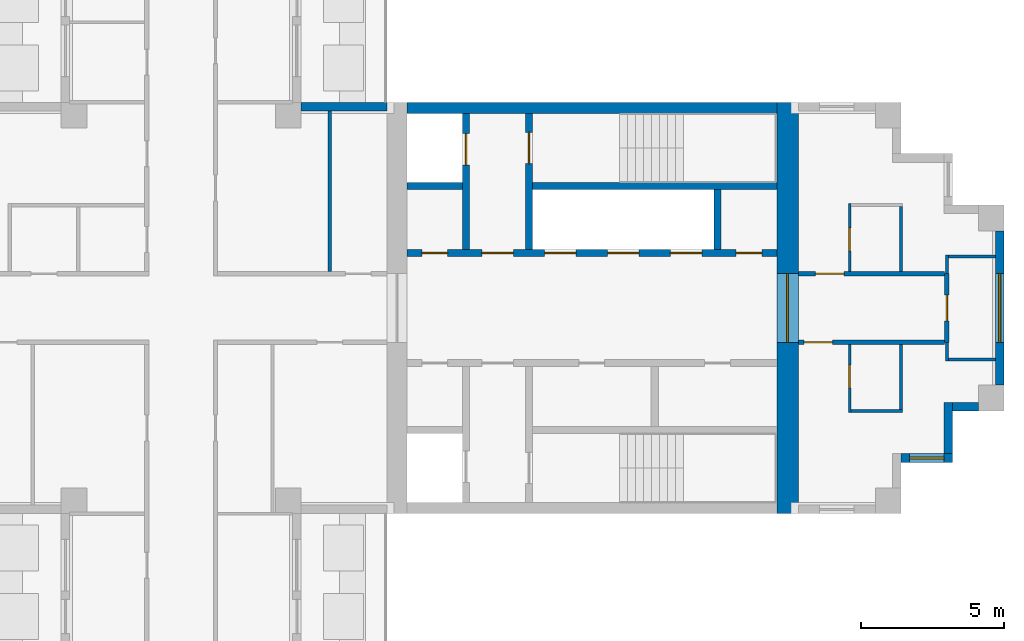
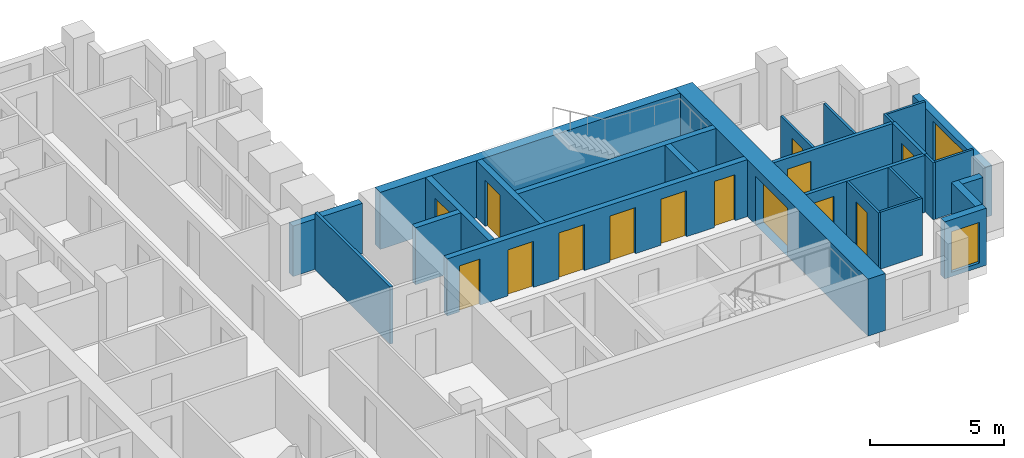
# One storey, part 6 of 10: 26 walls, 14 doors, 2 windows, 16 openings.
"""IFC4 building model written with IfcOpenShell, lengths in metres."""

from ifc_helpers import new_model, si_unit, direction, frame, frame_2d, origin, place, context, subcontext, project, spatial, rectangle, extrude, material, layer, layer_set, type_object, element, fill, save


model = new_model("IFC4")

# Units and contexts
model_context = context("Model", 3, precision=1e-05, world=origin(), true_north=direction((0.0, 1.0)))
body_context = subcontext(model_context, "Body", "Model", "MODEL_VIEW")
ifc_project = project(units=[si_unit("LENGTHUNIT", "METRE"), si_unit("AREAUNIT", "SQUARE_METRE"), si_unit("VOLUMEUNIT", "CUBIC_METRE"), si_unit("PLANEANGLEUNIT", "RADIAN"), si_unit("MASSUNIT", "GRAM", prefix="KILO")], contexts=[model_context])

# Site, building, storey
site_placement = place(None, origin())
site = spatial("IfcSite", under=ifc_project, at=site_placement, CompositionType="ELEMENT")
building_placement = place(site_placement, origin())
building = spatial("IfcBuilding", under=site, at=building_placement, Name="Fustian Cross Tower", CompositionType="ELEMENT")
storey_placement = place(building_placement, frame((0.0, 0.0, 228.89990234375)))
storey = spatial("IfcBuildingStorey", under=building, at=storey_placement, Name="L72", CompositionType="ELEMENT", Elevation=228.89990234375)

# Wall, opening, door
ifc_material_1 = material(Name="Plasterboard on steel stud", Category="steel")
ifc_layer_1 = layer(ifc_material_1, 0.14990234375)
ifc_layer_set_1 = layer_set([ifc_layer_1], Name="Plasterboard on steel stud")
wall_type_1 = type_object("IfcWallType", Name="COMPARTMENT WALL 150 EI 60", PredefinedType="PARTITIONING", material=ifc_layer_set_1)
wall_1_placement = place(storey_placement, frame((21.60009765625, -1.199951171875, 0.0), z_axis=(0.0, 0.0, 1.0), x_axis=(1.0, 0.0, 0.0)))
wall_1 = element("IfcWall", 1, at=wall_1_placement, inside=storey, type_object=wall_type_1, Name="Partition 60", PredefinedType="PARTITIONING", context=body_context, shape_type="SweptSolid", body=[
    extrude(rectangle(XDim=5.125, YDim=0.14990234375, at=frame_2d((2.5625, 0.0))), origin(), (0.0, 0.0, 1.0), 2.60009765625),
])
opening_1_placement = place(wall_1_placement, frame((0.199951171875, 0.0, 0.0)))
opening_1 = element("IfcOpeningElement", 2, at=opening_1_placement, cuts=wall_1, Name="Opening D32014", PredefinedType="OPENING", context=body_context, shape_type="SweptSolid", body=[
    extrude(rectangle(XDim=1.0, YDim=2.10009765625, at=frame_2d((0.5, 1.050048828125))), frame((0.0, 0.0849609375, 0.0), z_axis=(0.0, -1.0, 0.0), x_axis=(1.0, 0.0, 0.0)), (0.0, 0.0, 1.0), 0.169921875),
])
ifc_material_2 = material(Name="Timber fire door set", Category="wood")
door_type_1 = type_object("IfcDoorType", Name="FIRE SWING DOOR 1000 FD30S", OperationType="SINGLE_SWING_LEFT", PredefinedType="DOOR", material=ifc_material_2)
door_1_placement = place(opening_1_placement, frame((1.0, 0.0, 0.0), z_axis=(0.0, 0.0, 1.0), x_axis=(-1.0, 0.0, 0.0)))
door_1 = element("IfcDoor", 3, at=door_1_placement, inside=storey, type_object=door_type_1, Name="Door D32014", OperationType="SINGLE_SWING_RIGHT", OverallHeight=2.10009765625, OverallWidth=1.0, PredefinedType="DOOR", context=body_context, shape_type="SweptSolid", body=[
    extrude(rectangle(XDim=1.0, YDim=2.10009765625, at=frame_2d((0.5, 1.050048828125))), frame((0.0, 0.02490234375, 0.0), z_axis=(0.0, -1.0, 0.0), x_axis=(1.0, 0.0, 0.0)), (0.0, 0.0, 1.0), 0.050048828125),
])
fill(opening_1, door_1)

wall_2_placement = place(storey_placement, frame((21.60009765625, 1.199951171875, 0.0), z_axis=(0.0, 0.0, 1.0), x_axis=(1.0, 0.0, 0.0)))
wall_2 = element("IfcWall", 4, at=wall_2_placement, inside=storey, type_object=wall_type_1, Name="Partition 61", PredefinedType="PARTITIONING", context=body_context, shape_type="SweptSolid", body=[
    extrude(rectangle(XDim=5.125, YDim=0.14990234375, at=frame_2d((2.5625, 0.0))), origin(), (0.0, 0.0, 1.0), 2.60009765625),
])
opening_2_placement = place(wall_2_placement, frame((0.60009765625, 0.0, 0.0)))
opening_2 = element("IfcOpeningElement", 5, at=opening_2_placement, cuts=wall_2, Name="Opening D32012", PredefinedType="OPENING", context=body_context, shape_type="SweptSolid", body=[
    extrude(rectangle(XDim=1.0, YDim=2.10009765625, at=frame_2d((0.5, 1.050048828125))), frame((0.0, 0.0849609375, 0.0), z_axis=(0.0, -1.0, 0.0), x_axis=(1.0, 0.0, 0.0)), (0.0, 0.0, 1.0), 0.169921875),
])
door_2_placement = place(opening_2_placement, origin())
door_2 = element("IfcDoor", 6, at=door_2_placement, inside=storey, type_object=door_type_1, Name="Door D32012", OperationType="SINGLE_SWING_RIGHT", OverallHeight=2.10009765625, OverallWidth=1.0, PredefinedType="DOOR", context=body_context, shape_type="SweptSolid", body=[
    extrude(rectangle(XDim=1.0, YDim=2.10009765625, at=frame_2d((0.5, 1.050048828125))), frame((0.0, 0.02490234375, 0.0), z_axis=(0.0, -1.0, 0.0), x_axis=(1.0, 0.0, 0.0)), (0.0, 0.0, 1.0), 0.050048828125),
])
fill(opening_2, door_2)

wall_3_placement = place(storey_placement, frame((26.800048828125, -1.199951171875, 0.0), z_axis=(0.0, 0.0, 1.0), x_axis=(0.0, 1.0, 0.0)))
wall_3 = element("IfcWall", 7, at=wall_3_placement, inside=storey, type_object=wall_type_1, Name="Partition 70", PredefinedType="PARTITIONING", context=body_context, shape_type="SweptSolid", body=[
    extrude(rectangle(XDim=2.39990234375, YDim=0.14990234375, at=frame_2d((1.199951171875, 0.0))), origin(), (0.0, 0.0, 1.0), 2.60009765625),
])
opening_3_placement = place(wall_3_placement, frame((0.75, 0.0, 0.0)))
opening_3 = element("IfcOpeningElement", 8, at=opening_3_placement, cuts=wall_3, Name="Opening D32010", PredefinedType="OPENING", context=body_context, shape_type="SweptSolid", body=[
    extrude(rectangle(XDim=0.89990234375, YDim=2.10009765625, at=frame_2d((0.449951171875, 1.050048828125))), frame((0.0, 0.0849609375, 0.0), z_axis=(0.0, -1.0, 0.0), x_axis=(1.0, 0.0, 0.0)), (0.0, 0.0, 1.0), 0.169921875),
])
ifc_material_3 = material(Name="Timber fire door set", Category="wood")
door_type_2 = type_object("IfcDoorType", Name="FIRE SWING DOOR 900 FD30S", OperationType="SINGLE_SWING_LEFT", PredefinedType="DOOR", material=ifc_material_3)
door_3_placement = place(opening_3_placement, frame((0.89990234375, 0.0, 0.0), z_axis=(0.0, 0.0, 1.0), x_axis=(-1.0, 0.0, 0.0)))
door_3 = element("IfcDoor", 9, at=door_3_placement, inside=storey, type_object=door_type_2, Name="Door D32010", OperationType="SINGLE_SWING_RIGHT", OverallHeight=2.10009765625, OverallWidth=0.89990234375, PredefinedType="DOOR", context=body_context, shape_type="SweptSolid", body=[
    extrude(rectangle(XDim=0.89990234375, YDim=2.10009765625, at=frame_2d((0.449951171875, 1.050048828125))), frame((0.0, 0.02490234375, 0.0), z_axis=(0.0, -1.0, 0.0), x_axis=(1.0, 0.0, 0.0)), (0.0, 0.0, 1.0), 0.050048828125),
])
fill(opening_3, door_3)

ifc_material_4 = material(Name="Concrete C50/60", Category="concrete")
ifc_layer_2 = layer(ifc_material_4, 0.75)
ifc_layer_set_2 = layer_set([ifc_layer_2], Name="Concrete C50/60")
wall_type_2 = type_object("IfcWallType", Name="CORE END WALL 750 C50/60", PredefinedType="SHEAR", material=ifc_layer_set_2)
wall_4_placement = place(storey_placement, frame((21.22509765625, -7.199951171875, 0.0), z_axis=(0.0, 0.0, 1.0), x_axis=(0.0, 1.0, 0.0)))
wall_4 = element("IfcWall", 10, at=wall_4_placement, inside=storey, type_object=wall_type_2, Name="Core end wall", PredefinedType="SHEAR", context=body_context, shape_type="SweptSolid", body=[
    extrude(rectangle(XDim=14.39990234375, YDim=0.75, at=frame_2d((7.199951171875, 0.0))), origin(), (0.0, 0.0, 1.0), 2.60009765625),
])
opening_4_placement = place(wall_4_placement, frame((6.0, 0.0, 0.0)))
opening_4 = element("IfcOpeningElement", 11, at=opening_4_placement, cuts=wall_4, Name="Opening CD-27-13", PredefinedType="OPENING", context=body_context, shape_type="SweptSolid", body=[
    extrude(rectangle(XDim=2.39990234375, YDim=2.199951171875, at=frame_2d((1.199951171875, 1.10009765625))), frame((0.0, 0.385009765625, 0.0), z_axis=(0.0, -1.0, 0.0), x_axis=(1.0, 0.0, 0.0)), (0.0, 0.0, 1.0), 0.77001953125),
])
ifc_material_5 = material(Name="Steel", Category="steel")
door_type_3 = type_object("IfcDoorType", Name="FIRE DOOR FD30S DOUBLE 2400X2200", OperationType="DOUBLE_DOOR_DOUBLE_SWING", PredefinedType="DOOR", material=ifc_material_5)
door_4_placement = place(opening_4_placement, origin())
door_4 = element("IfcDoor", 12, at=door_4_placement, inside=storey, type_object=door_type_3, Name="Core door CD-27-13", OperationType="DOUBLE_DOOR_DOUBLE_SWING", OverallHeight=2.199951171875, OverallWidth=2.39990234375, PredefinedType="DOOR", context=body_context, shape_type="SweptSolid", body=[
    extrude(rectangle(XDim=2.39990234375, YDim=2.199951171875, at=frame_2d((1.199951171875, 1.10009765625))), frame((0.0, 0.02490234375, 0.0), z_axis=(0.0, -1.0, 0.0), x_axis=(1.0, 0.0, 0.0)), (0.0, 0.0, 1.0), 0.050048828125),
])
fill(opening_4, door_4)

# Wall
ifc_material_6 = material(Name="Concrete C50/60", Category="concrete")
ifc_layer_3 = layer(ifc_material_6, 0.39990234375)
ifc_layer_set_3 = layer_set([ifc_layer_3], Name="Concrete C50/60")
wall_type_3 = type_object("IfcWallType", Name="CORE FACADE WALL 400 C50/60", PredefinedType="SHEAR", material=ifc_layer_set_3)
wall_5_placement = place(storey_placement, frame((7.89990234375, 7.0, 0.0), z_axis=(0.0, 0.0, 1.0), x_axis=(1.0, 0.0, 0.0)))
element("IfcWall", 13, at=wall_5_placement, inside=storey, type_object=wall_type_3, Name="Core facade wall", PredefinedType="SHEAR", context=body_context, shape_type="SweptSolid", body=[
    extrude(rectangle(XDim=12.9501953125, YDim=0.39990234375, at=frame_2d((6.47509765625, 0.0))), origin(), (0.0, 0.0, 1.0), 2.60009765625),
])

# Wall, openings, doors
ifc_material_7 = material(Name="Concrete C50/60", Category="concrete")
ifc_layer_4 = layer(ifc_material_7, 0.25)
ifc_layer_set_4 = layer_set([ifc_layer_4], Name="Concrete C50/60")
wall_type_4 = type_object("IfcWallType", Name="CORE LOBBY WALL 250 C50/60", PredefinedType="SHEAR", material=ifc_layer_set_4)
wall_6_placement = place(storey_placement, frame((7.89990234375, 1.925048828125, 0.0), z_axis=(0.0, 0.0, 1.0), x_axis=(1.0, 0.0, 0.0)))
wall_6 = element("IfcWall", 14, at=wall_6_placement, inside=storey, type_object=wall_type_4, Name="Core lobby wall", PredefinedType="SHEAR", context=body_context, shape_type="SweptSolid", body=[
    extrude(rectangle(XDim=12.9501953125, YDim=0.25, at=frame_2d((6.47509765625, 0.0))), origin(), (0.0, 0.0, 1.0), 2.60009765625),
])
opening_5_placement = place(wall_6_placement, frame((4.824951171875, 0.0, 0.0)))
opening_5 = element("IfcOpeningElement", 15, at=opening_5_placement, cuts=wall_6, Name="Opening LD", PredefinedType="OPENING", context=body_context, shape_type="SweptSolid", body=[
    extrude(rectangle(XDim=1.10009765625, YDim=2.10009765625, at=frame_2d((0.550048828125, 1.050048828125))), frame((0.0, 0.135009765625, 0.0), z_axis=(0.0, -1.0, 0.0), x_axis=(1.0, 0.0, 0.0)), (0.0, 0.0, 1.0), 0.27001953125),
])
opening_6_placement = place(wall_6_placement, frame((7.02490234375, 0.0, 0.0)))
opening_6 = element("IfcOpeningElement", 16, at=opening_6_placement, cuts=wall_6, Name="Opening LD", PredefinedType="OPENING", context=body_context, shape_type="SweptSolid", body=[
    extrude(rectangle(XDim=1.10009765625, YDim=2.10009765625, at=frame_2d((0.550048828125, 1.050048828125))), frame((0.0, 0.135009765625, 0.0), z_axis=(0.0, -1.0, 0.0), x_axis=(1.0, 0.0, 0.0)), (0.0, 0.0, 1.0), 0.27001953125),
])
opening_7_placement = place(wall_6_placement, frame((9.22509765625, 0.0, 0.0)))
opening_7 = element("IfcOpeningElement", 17, at=opening_7_placement, cuts=wall_6, Name="Opening LD", PredefinedType="OPENING", context=body_context, shape_type="SweptSolid", body=[
    extrude(rectangle(XDim=1.10009765625, YDim=2.10009765625, at=frame_2d((0.550048828125, 1.050048828125))), frame((0.0, 0.135009765625, 0.0), z_axis=(0.0, -1.0, 0.0), x_axis=(1.0, 0.0, 0.0)), (0.0, 0.0, 1.0), 0.27001953125),
])
opening_8_placement = place(wall_6_placement, frame((0.52490234375, 0.0, 0.0)))
opening_8 = element("IfcOpeningElement", 18, at=opening_8_placement, cuts=wall_6, Name="Opening CD-27-08", PredefinedType="OPENING", context=body_context, shape_type="SweptSolid", body=[
    extrude(rectangle(XDim=0.89990234375, YDim=2.10009765625, at=frame_2d((0.449951171875, 1.050048828125))), frame((0.0, 0.135009765625, 0.0), z_axis=(0.0, -1.0, 0.0), x_axis=(1.0, 0.0, 0.0)), (0.0, 0.0, 1.0), 0.27001953125),
])
opening_9_placement = place(wall_6_placement, frame((2.625, 0.0, 0.0)))
opening_9 = element("IfcOpeningElement", 19, at=opening_9_placement, cuts=wall_6, Name="Opening CD-27-10", PredefinedType="OPENING", context=body_context, shape_type="SweptSolid", body=[
    extrude(rectangle(XDim=1.10009765625, YDim=2.10009765625, at=frame_2d((0.550048828125, 1.050048828125))), frame((0.0, 0.135009765625, 0.0), z_axis=(0.0, -1.0, 0.0), x_axis=(1.0, 0.0, 0.0)), (0.0, 0.0, 1.0), 0.27001953125),
])
opening_10_placement = place(wall_6_placement, frame((11.52490234375, 0.0, 0.0)))
opening_10 = element("IfcOpeningElement", 20, at=opening_10_placement, cuts=wall_6, Name="Opening CD-27-14", PredefinedType="OPENING", context=body_context, shape_type="SweptSolid", body=[
    extrude(rectangle(XDim=0.89990234375, YDim=2.10009765625, at=frame_2d((0.449951171875, 1.050048828125))), frame((0.0, 0.135009765625, 0.0), z_axis=(0.0, -1.0, 0.0), x_axis=(1.0, 0.0, 0.0)), (0.0, 0.0, 1.0), 0.27001953125),
])
ifc_material_8 = material(Name="Steel", Category="steel")
door_type_4 = type_object("IfcDoorType", Name="FIRE DOOR FD30S 900X2100", OperationType="SINGLE_SWING_LEFT", PredefinedType="DOOR", material=ifc_material_8)
door_5_placement = place(opening_10_placement, origin())
door_5 = element("IfcDoor", 21, at=door_5_placement, inside=storey, type_object=door_type_4, Name="Core door CD-27-14", OperationType="SINGLE_SWING_LEFT", OverallHeight=2.10009765625, OverallWidth=0.89990234375, PredefinedType="DOOR", context=body_context, shape_type="SweptSolid", body=[
    extrude(rectangle(XDim=0.89990234375, YDim=2.10009765625, at=frame_2d((0.449951171875, 1.050048828125))), frame((0.0, 0.02490234375, 0.0), z_axis=(0.0, -1.0, 0.0), x_axis=(1.0, 0.0, 0.0)), (0.0, 0.0, 1.0), 0.050048828125),
])
fill(opening_10, door_5)
ifc_material_9 = material(Name="Steel", Category="steel")
door_type_5 = type_object("IfcDoorType", Name="FIRE DOOR FD60S 1100X2100", OperationType="SINGLE_SWING_LEFT", PredefinedType="DOOR", material=ifc_material_9)
door_6_placement = place(opening_9_placement, frame((1.10009765625, 0.0, 0.0), z_axis=(0.0, 0.0, 1.0), x_axis=(-1.0, 0.0, 0.0)))
door_6 = element("IfcDoor", 22, at=door_6_placement, inside=storey, type_object=door_type_5, Name="Core door CD-27-10", OperationType="SINGLE_SWING_RIGHT", OverallHeight=2.10009765625, OverallWidth=1.10009765625, PredefinedType="DOOR", context=body_context, shape_type="SweptSolid", body=[
    extrude(rectangle(XDim=1.10009765625, YDim=2.10009765625, at=frame_2d((0.550048828125, 1.050048828125))), frame((0.0, 0.02490234375, 0.0), z_axis=(0.0, -1.0, 0.0), x_axis=(1.0, 0.0, 0.0)), (0.0, 0.0, 1.0), 0.050048828125),
])
fill(opening_9, door_6)
ifc_material_10 = material(Name="Steel", Category="steel")
door_type_6 = type_object("IfcDoorType", Name="FIRE DOOR FD60S 900X2100", OperationType="SINGLE_SWING_LEFT", PredefinedType="DOOR", material=ifc_material_10)
door_7_placement = place(opening_8_placement, origin())
door_7 = element("IfcDoor", 23, at=door_7_placement, inside=storey, type_object=door_type_6, Name="Core door CD-27-08", OperationType="SINGLE_SWING_LEFT", OverallHeight=2.10009765625, OverallWidth=0.89990234375, PredefinedType="DOOR", context=body_context, shape_type="SweptSolid", body=[
    extrude(rectangle(XDim=0.89990234375, YDim=2.10009765625, at=frame_2d((0.449951171875, 1.050048828125))), frame((0.0, 0.02490234375, 0.0), z_axis=(0.0, -1.0, 0.0), x_axis=(1.0, 0.0, 0.0)), (0.0, 0.0, 1.0), 0.050048828125),
])
fill(opening_8, door_7)
ifc_material_11 = material(Name="Stainless steel", Category="steel")
door_type_7 = type_object("IfcDoorType", Name="LIFT LANDING DOOR 1100X2100", OperationType="SLIDING_TO_LEFT", PredefinedType="DOOR", material=ifc_material_11)
door_8_placement = place(opening_5_placement, origin())
door_8 = element("IfcDoor", 24, at=door_8_placement, inside=storey, type_object=door_type_7, Name="Landing door HR1", OperationType="SLIDING_TO_LEFT", OverallHeight=2.10009765625, OverallWidth=1.10009765625, PredefinedType="DOOR", context=body_context, shape_type="SweptSolid", body=[
    extrude(rectangle(XDim=1.10009765625, YDim=2.10009765625, at=frame_2d((0.550048828125, 1.050048828125))), frame((0.0, 0.02490234375, 0.0), z_axis=(0.0, -1.0, 0.0), x_axis=(1.0, 0.0, 0.0)), (0.0, 0.0, 1.0), 0.050048828125),
])
fill(opening_5, door_8)
door_9_placement = place(opening_6_placement, origin())
door_9 = element("IfcDoor", 25, at=door_9_placement, inside=storey, type_object=door_type_7, Name="Landing door HR2", OperationType="SLIDING_TO_LEFT", OverallHeight=2.10009765625, OverallWidth=1.10009765625, PredefinedType="DOOR", context=body_context, shape_type="SweptSolid", body=[
    extrude(rectangle(XDim=1.10009765625, YDim=2.10009765625, at=frame_2d((0.550048828125, 1.050048828125))), frame((0.0, 0.02490234375, 0.0), z_axis=(0.0, -1.0, 0.0), x_axis=(1.0, 0.0, 0.0)), (0.0, 0.0, 1.0), 0.050048828125),
])
fill(opening_6, door_9)
door_10_placement = place(opening_7_placement, origin())
door_10 = element("IfcDoor", 26, at=door_10_placement, inside=storey, type_object=door_type_7, Name="Landing door HR3", OperationType="SLIDING_TO_LEFT", OverallHeight=2.10009765625, OverallWidth=1.10009765625, PredefinedType="DOOR", context=body_context, shape_type="SweptSolid", body=[
    extrude(rectangle(XDim=1.10009765625, YDim=2.10009765625, at=frame_2d((0.550048828125, 1.050048828125))), frame((0.0, 0.02490234375, 0.0), z_axis=(0.0, -1.0, 0.0), x_axis=(1.0, 0.0, 0.0)), (0.0, 0.0, 1.0), 0.050048828125),
])
fill(opening_7, door_10)

# Walls
ifc_material_12 = material(Name="Concrete C50/60", Category="concrete")
ifc_layer_5 = layer(ifc_material_12, 0.25)
ifc_layer_set_5 = layer_set([ifc_layer_5], Name="Concrete C50/60")
wall_type_5 = type_object("IfcWallType", Name="CORE SHAFT WALL 250 C50/60", PredefinedType="SHEAR", material=ifc_layer_set_5)
wall_7_placement = place(storey_placement, frame((7.89990234375, 4.27490234375, 0.0), z_axis=(0.0, 0.0, 1.0), x_axis=(1.0, 0.0, 0.0)))
element("IfcWall", 27, at=wall_7_placement, inside=storey, type_object=wall_type_5, Name="Core shaft wall", PredefinedType="SHEAR", context=body_context, shape_type="SweptSolid", body=[
    extrude(rectangle(XDim=1.9501953125, YDim=0.25, at=frame_2d((0.97509765625, 0.0))), origin(), (0.0, 0.0, 1.0), 2.60009765625),
])
wall_8_placement = place(storey_placement, frame((12.300048828125, 4.27490234375, 0.0), z_axis=(0.0, 0.0, 1.0), x_axis=(1.0, 0.0, 0.0)))
element("IfcWall", 28, at=wall_8_placement, inside=storey, type_object=wall_type_5, Name="Core shaft wall", PredefinedType="SHEAR", context=body_context, shape_type="SweptSolid", body=[
    extrude(rectangle(XDim=8.550048828125, YDim=0.25, at=frame_2d((4.27490234375, 0.0))), origin(), (0.0, 0.0, 1.0), 2.60009765625),
])

# Wall, opening, door
wall_9_placement = place(storey_placement, frame((9.97509765625, 2.050048828125, 0.0), z_axis=(0.0, 0.0, 1.0), x_axis=(0.0, 1.0, 0.0)))
wall_9 = element("IfcWall", 29, at=wall_9_placement, inside=storey, type_object=wall_type_5, Name="Core shaft wall", PredefinedType="SHEAR", context=body_context, shape_type="SweptSolid", body=[
    extrude(rectangle(XDim=4.75, YDim=0.25, at=frame_2d((2.375, 0.0))), origin(), (0.0, 0.0, 1.0), 2.60009765625),
])
opening_11_placement = place(wall_9_placement, frame((2.949951171875, 0.0, 0.0)))
opening_11 = element("IfcOpeningElement", 30, at=opening_11_placement, cuts=wall_9, Name="Opening LD", PredefinedType="OPENING", context=body_context, shape_type="SweptSolid", body=[
    extrude(rectangle(XDim=1.10009765625, YDim=2.10009765625, at=frame_2d((0.550048828125, 1.050048828125))), frame((0.0, 0.135009765625, 0.0), z_axis=(0.0, -1.0, 0.0), x_axis=(1.0, 0.0, 0.0)), (0.0, 0.0, 1.0), 0.27001953125),
])
door_11_placement = place(opening_11_placement, origin())
door_11 = element("IfcDoor", 31, at=door_11_placement, inside=storey, type_object=door_type_7, Name="Landing door FL1", OperationType="SLIDING_TO_LEFT", OverallHeight=2.10009765625, OverallWidth=1.10009765625, PredefinedType="DOOR", context=body_context, shape_type="SweptSolid", body=[
    extrude(rectangle(XDim=1.10009765625, YDim=2.10009765625, at=frame_2d((0.550048828125, 1.050048828125))), frame((0.0, 0.02490234375, 0.0), z_axis=(0.0, -1.0, 0.0), x_axis=(1.0, 0.0, 0.0)), (0.0, 0.0, 1.0), 0.050048828125),
])
fill(opening_11, door_11)

wall_10_placement = place(storey_placement, frame((12.175048828125, 2.050048828125, 0.0), z_axis=(0.0, 0.0, 1.0), x_axis=(0.0, 1.0, 0.0)))
wall_10 = element("IfcWall", 32, at=wall_10_placement, inside=storey, type_object=wall_type_5, Name="Core shaft wall", PredefinedType="SHEAR", context=body_context, shape_type="SweptSolid", body=[
    extrude(rectangle(XDim=4.75, YDim=0.25, at=frame_2d((2.375, 0.0))), origin(), (0.0, 0.0, 1.0), 2.60009765625),
])
opening_12_placement = place(wall_10_placement, frame((3.0, 0.0, 0.0)))
opening_12 = element("IfcOpeningElement", 33, at=opening_12_placement, cuts=wall_10, Name="Opening CD-27-06", PredefinedType="OPENING", context=body_context, shape_type="SweptSolid", body=[
    extrude(rectangle(XDim=1.10009765625, YDim=2.10009765625, at=frame_2d((0.550048828125, 1.050048828125))), frame((0.0, 0.135009765625, 0.0), z_axis=(0.0, -1.0, 0.0), x_axis=(1.0, 0.0, 0.0)), (0.0, 0.0, 1.0), 0.27001953125),
])
door_12_placement = place(opening_12_placement, frame((1.10009765625, 0.0, 0.0), z_axis=(0.0, 0.0, 1.0), x_axis=(-1.0, 0.0, 0.0)))
door_12 = element("IfcDoor", 34, at=door_12_placement, inside=storey, type_object=door_type_5, Name="Core door CD-27-06", OperationType="SINGLE_SWING_RIGHT", OverallHeight=2.10009765625, OverallWidth=1.10009765625, PredefinedType="DOOR", context=body_context, shape_type="SweptSolid", body=[
    extrude(rectangle(XDim=1.10009765625, YDim=2.10009765625, at=frame_2d((0.550048828125, 1.050048828125))), frame((0.0, 0.02490234375, 0.0), z_axis=(0.0, -1.0, 0.0), x_axis=(1.0, 0.0, 0.0)), (0.0, 0.0, 1.0), 0.050048828125),
])
fill(opening_12, door_12)

ifc_material_13 = material(Name="Plasterboard on steel stud", Category="steel")
ifc_layer_6 = layer(ifc_material_13, 0.10009765625)
ifc_layer_set_6 = layer_set([ifc_layer_6], Name="Plasterboard on steel stud")
wall_type_6 = type_object("IfcWallType", Name="PARTITION 100 STUD", PredefinedType="PARTITIONING", material=ifc_layer_set_6)
wall_11_placement = place(storey_placement, frame((23.39990234375, -3.64990234375, 0.0), z_axis=(0.0, 0.0, 1.0), x_axis=(0.0, 1.0, 0.0)))
wall_11 = element("IfcWall", 35, at=wall_11_placement, inside=storey, type_object=wall_type_6, Name="Partition 62", PredefinedType="PARTITIONING", context=body_context, shape_type="SweptSolid", body=[
    extrude(rectangle(XDim=2.375, YDim=0.10009765625, at=frame_2d((1.1875, 0.0))), origin(), (0.0, 0.0, 1.0), 2.60009765625),
])
opening_13_placement = place(wall_11_placement, frame((0.85009765625, 0.0, 0.0)))
opening_13 = element("IfcOpeningElement", 36, at=opening_13_placement, cuts=wall_11, Name="Opening D32013", PredefinedType="OPENING", context=body_context, shape_type="SweptSolid", body=[
    extrude(rectangle(XDim=0.800048828125, YDim=2.10009765625, at=frame_2d((0.39990234375, 1.050048828125))), frame((0.0, 0.06005859375, 0.0), z_axis=(0.0, -1.0, 0.0), x_axis=(1.0, 0.0, 0.0)), (0.0, 0.0, 1.0), 0.1201171875),
])
ifc_material_14 = material(Name="Painted timber", Category="wood")
door_type_8 = type_object("IfcDoorType", Name="SWING DOOR 800", OperationType="SINGLE_SWING_LEFT", PredefinedType="DOOR", material=ifc_material_14)
door_13_placement = place(opening_13_placement, frame((0.800048828125, 0.0, 0.0), z_axis=(0.0, 0.0, 1.0), x_axis=(-1.0, 0.0, 0.0)))
door_13 = element("IfcDoor", 37, at=door_13_placement, inside=storey, type_object=door_type_8, Name="Door D32013", OperationType="SINGLE_SWING_RIGHT", OverallHeight=2.10009765625, OverallWidth=0.800048828125, PredefinedType="DOOR", context=body_context, shape_type="SweptSolid", body=[
    extrude(rectangle(XDim=0.800048828125, YDim=2.10009765625, at=frame_2d((0.39990234375, 1.050048828125))), frame((0.0, 0.02490234375, 0.0), z_axis=(0.0, -1.0, 0.0), x_axis=(1.0, 0.0, 0.0)), (0.0, 0.0, 1.0), 0.050048828125),
])
fill(opening_13, door_13)

# Wall
wall_12_placement = place(storey_placement, frame((23.449951171875, -3.60009765625, 0.0), z_axis=(0.0, 0.0, 1.0), x_axis=(1.0, 0.0, 0.0)))
element("IfcWall", 38, at=wall_12_placement, inside=storey, type_object=wall_type_6, Name="Partition 63", PredefinedType="PARTITIONING", context=body_context, shape_type="SweptSolid", body=[
    extrude(rectangle(XDim=1.800048828125, YDim=0.10009765625, at=frame_2d((0.89990234375, 0.0))), origin(), (0.0, 0.0, 1.0), 2.60009765625),
])

# Wall, opening, door
wall_13_placement = place(storey_placement, frame((23.39990234375, 1.27490234375, 0.0), z_axis=(0.0, 0.0, 1.0), x_axis=(0.0, 1.0, 0.0)))
wall_13 = element("IfcWall", 39, at=wall_13_placement, inside=storey, type_object=wall_type_6, Name="Partition 64", PredefinedType="PARTITIONING", context=body_context, shape_type="SweptSolid", body=[
    extrude(rectangle(XDim=2.375, YDim=0.10009765625, at=frame_2d((1.1875, 0.0))), origin(), (0.0, 0.0, 1.0), 2.60009765625),
])
opening_14_placement = place(wall_13_placement, frame((0.72509765625, 0.0, 0.0)))
opening_14 = element("IfcOpeningElement", 40, at=opening_14_placement, cuts=wall_13, Name="Opening D32011", PredefinedType="OPENING", context=body_context, shape_type="SweptSolid", body=[
    extrude(rectangle(XDim=0.800048828125, YDim=2.10009765625, at=frame_2d((0.39990234375, 1.050048828125))), frame((0.0, 0.06005859375, 0.0), z_axis=(0.0, -1.0, 0.0), x_axis=(1.0, 0.0, 0.0)), (0.0, 0.0, 1.0), 0.1201171875),
])
door_14_placement = place(opening_14_placement, frame((0.800048828125, 0.0, 0.0), z_axis=(0.0, 0.0, 1.0), x_axis=(-1.0, 0.0, 0.0)))
door_14 = element("IfcDoor", 41, at=door_14_placement, inside=storey, type_object=door_type_8, Name="Door D32011", OperationType="SINGLE_SWING_RIGHT", OverallHeight=2.10009765625, OverallWidth=0.800048828125, PredefinedType="DOOR", context=body_context, shape_type="SweptSolid", body=[
    extrude(rectangle(XDim=0.800048828125, YDim=2.10009765625, at=frame_2d((0.39990234375, 1.050048828125))), frame((0.0, 0.02490234375, 0.0), z_axis=(0.0, -1.0, 0.0), x_axis=(1.0, 0.0, 0.0)), (0.0, 0.0, 1.0), 0.050048828125),
])
fill(opening_14, door_14)

# Walls
for number, where, z_axis, x_axis, name in (
    (42, (25.199951171875, -3.550048828125, 0.0), (0.0, 0.0, 1.0), (0.0, 1.0, 0.0), "Partition 66"),
    (43, (25.199951171875, 1.27490234375, 0.0), (0.0, 0.0, 1.0), (0.0, 1.0, 0.0), "Partition 67"),
):
    element("IfcWall", number, at=place(storey_placement, frame(where, z_axis=z_axis, x_axis=x_axis)), inside=storey, type_object=wall_type_6, Name=name, PredefinedType="PARTITIONING", context=body_context, shape_type="SweptSolid", body=[
        extrude(rectangle(XDim=2.275146484375, YDim=0.10009765625, at=frame_2d((1.1376953125, 0.0))), origin(), (0.0, 0.0, 1.0), 2.60009765625),
    ])
wall_14_placement = place(storey_placement, frame((26.800048828125, -1.85009765625, 0.0), z_axis=(0.0, 0.0, 1.0), x_axis=(0.0, 1.0, 0.0)))
element("IfcWall", 44, at=wall_14_placement, inside=storey, type_object=wall_type_6, Name="Partition 68", PredefinedType="PARTITIONING", context=body_context, shape_type="SweptSolid", body=[
    extrude(rectangle(XDim=0.650146484375, YDim=0.10009765625, at=frame_2d((0.3251953125, 0.0))), origin(), (0.0, 0.0, 1.0), 2.60009765625),
])
wall_15_placement = place(storey_placement, frame((26.85009765625, -1.800048828125, 0.0), z_axis=(0.0, 0.0, 1.0), x_axis=(1.0, 0.0, 0.0)))
element("IfcWall", 45, at=wall_15_placement, inside=storey, type_object=wall_type_6, Name="Partition 69", PredefinedType="PARTITIONING", context=body_context, shape_type="SweptSolid", body=[
    extrude(rectangle(XDim=1.64990234375, YDim=0.10009765625, at=frame_2d((0.824951171875, 0.0))), origin(), (0.0, 0.0, 1.0), 2.60009765625),
])
wall_16_placement = place(storey_placement, frame((26.800048828125, 1.199951171875, 0.0), z_axis=(0.0, 0.0, 1.0), x_axis=(0.0, 1.0, 0.0)))
element("IfcWall", 46, at=wall_16_placement, inside=storey, type_object=wall_type_6, Name="Partition 71", PredefinedType="PARTITIONING", context=body_context, shape_type="SweptSolid", body=[
    extrude(rectangle(XDim=0.650146484375, YDim=0.10009765625, at=frame_2d((0.3251953125, 0.0))), origin(), (0.0, 0.0, 1.0), 2.60009765625),
])
wall_17_placement = place(storey_placement, frame((26.85009765625, 1.800048828125, 0.0), z_axis=(0.0, 0.0, 1.0), x_axis=(1.0, 0.0, 0.0)))
element("IfcWall", 47, at=wall_17_placement, inside=storey, type_object=wall_type_6, Name="Partition 72", PredefinedType="PARTITIONING", context=body_context, shape_type="SweptSolid", body=[
    extrude(rectangle(XDim=1.64990234375, YDim=0.10009765625, at=frame_2d((0.824951171875, 0.0))), origin(), (0.0, 0.0, 1.0), 2.60009765625),
])
ifc_material_15 = material(Name="Concrete C40/50", Category="concrete")
ifc_layer_7 = layer(ifc_material_15, 0.25)
ifc_layer_set_7 = layer_set([ifc_layer_7], Name="Concrete C40/50")
wall_type_7 = type_object("IfcWallType", Name="SHAFT PARTITION WALL 250 C40/50", PredefinedType="PARTITIONING", material=ifc_layer_set_7)
wall_18_placement = place(storey_placement, frame((18.77490234375, 2.050048828125, 0.0), z_axis=(0.0, 0.0, 1.0), x_axis=(0.0, 1.0, 0.0)))
element("IfcWall", 48, at=wall_18_placement, inside=storey, type_object=wall_type_7, Name="Core shaft wall", PredefinedType="PARTITIONING", context=body_context, shape_type="SweptSolid", body=[
    extrude(rectangle(XDim=2.099853515625, YDim=0.25, at=frame_2d((1.0498046875, 0.0))), origin(), (0.0, 0.0, 1.0), 2.60009765625),
])
ifc_material_16 = material(Name="Plasterboard on steel stud", Category="steel")
ifc_layer_8 = layer(ifc_material_16, 0.125)
ifc_layer_set_8 = layer_set([ifc_layer_8], Name="Plasterboard on steel stud")
wall_type_8 = type_object("IfcWallType", Name="WET WALL 125 STUD", PredefinedType="PARTITIONING", material=ifc_layer_set_8)
wall_19_placement = place(storey_placement, frame((5.199951171875, 1.27490234375, 0.0), z_axis=(0.0, 0.0, 1.0), x_axis=(0.0, 1.0, 0.0)))
element("IfcWall", 49, at=wall_19_placement, inside=storey, type_object=wall_type_8, Name="Partition 59", PredefinedType="PARTITIONING", context=body_context, shape_type="SweptSolid", body=[
    extrude(rectangle(XDim=5.625, YDim=0.125, at=frame_2d((2.8125, 0.0))), origin(), (0.0, 0.0, 1.0), 2.60009765625),
])

# Wall, opening, window
ifc_material_17 = material(Name="Dark aluminium cladding on insulated backing wall", Category="aluminium")
ifc_layer_9 = layer(ifc_material_17, 0.300048828125)
ifc_layer_set_9 = layer_set([ifc_layer_9], Name="Dark aluminium cladding on insulated backing wall")
wall_type_9 = type_object("IfcWallType", Name="XW1 EXTERNAL WALL 300", PredefinedType="SOLIDWALL", material=ifc_layer_set_9)
wall_20_placement = place(storey_placement, frame((25.199951171875, -5.25, 0.0), z_axis=(0.0, 0.0, 1.0), x_axis=(1.0, 0.0, 0.0)))
wall_20 = element("IfcWall", 50, at=wall_20_placement, inside=storey, type_object=wall_type_9, Name="External wall", PredefinedType="SOLIDWALL", context=body_context, shape_type="SweptSolid", body=[
    extrude(rectangle(XDim=1.800048828125, YDim=0.300048828125, at=frame_2d((0.89990234375, 0.0))), origin(), (0.0, 0.0, 1.0), 2.60009765625),
])
opening_15_placement = place(wall_20_placement, frame((0.300048828125, 0.0, 0.199951171875)))
opening_15 = element("IfcOpeningElement", 51, at=opening_15_placement, cuts=wall_20, Name="Opening WN3", PredefinedType="OPENING", context=body_context, shape_type="SweptSolid", body=[
    extrude(rectangle(XDim=1.199951171875, YDim=1.85009765625, at=frame_2d((0.60009765625, 0.925048828125))), frame((0.0, 0.159912109375, 0.0), z_axis=(0.0, -1.0, 0.0), x_axis=(1.0, 0.0, 0.0)), (0.0, 0.0, 1.0), 0.320068359375),
])
ifc_material_18 = material(Name="Dark anodised aluminium and double glazing", Category="aluminium")
window_type_1 = type_object("IfcWindowType", Name="WN3 WINDOW 1200X1850", PartitioningType="SINGLE_PANEL", PredefinedType="WINDOW", material=ifc_material_18)
window_1_placement = place(opening_15_placement, origin())
window_1 = element("IfcWindow", 52, at=window_1_placement, inside=storey, type_object=window_type_1, Name="Window", OverallHeight=1.85009765625, OverallWidth=1.199951171875, PartitioningType="SINGLE_PANEL", PredefinedType="WINDOW", context=body_context, shape_type="SweptSolid", body=[
    extrude(rectangle(XDim=1.199951171875, YDim=1.85009765625, at=frame_2d((0.60009765625, 0.925048828125))), frame((0.0, 0.030029296875, 0.0), z_axis=(0.0, -1.0, 0.0), x_axis=(1.0, 0.0, 0.0)), (0.0, 0.0, 1.0), 0.06005859375),
])
fill(opening_15, window_1)

# Walls
wall_21_placement = place(storey_placement, frame((26.85009765625, -5.10009765625, 0.0), z_axis=(0.0, 0.0, 1.0), x_axis=(0.0, 1.0, 0.0)))
element("IfcWall", 53, at=wall_21_placement, inside=storey, type_object=wall_type_9, Name="External wall", PredefinedType="SOLIDWALL", context=body_context, shape_type="SweptSolid", body=[
    extrude(rectangle(XDim=1.800048828125, YDim=0.300048828125, at=frame_2d((0.89990234375, 0.0))), origin(), (0.0, 0.0, 1.0), 2.60009765625),
])
wall_22_placement = place(storey_placement, frame((27.0, -3.449951171875, 0.0), z_axis=(0.0, 0.0, 1.0), x_axis=(1.0, 0.0, 0.0)))
element("IfcWall", 54, at=wall_22_placement, inside=storey, type_object=wall_type_9, Name="External wall", PredefinedType="SOLIDWALL", context=body_context, shape_type="SweptSolid", body=[
    extrude(rectangle(XDim=0.89990234375, YDim=0.300048828125, at=frame_2d((0.449951171875, 0.0))), origin(), (0.0, 0.0, 1.0), 2.60009765625),
])

# Wall, opening, window
wall_23_placement = place(storey_placement, frame((28.64990234375, -2.699951171875, 0.0), z_axis=(0.0, 0.0, 1.0), x_axis=(0.0, 1.0, 0.0)))
wall_23 = element("IfcWall", 55, at=wall_23_placement, inside=storey, type_object=wall_type_9, Name="External wall", PredefinedType="SOLIDWALL", context=body_context, shape_type="SweptSolid", body=[
    extrude(rectangle(XDim=5.39990234375, YDim=0.300048828125, at=frame_2d((2.699951171875, 0.0))), origin(), (0.0, 0.0, 1.0), 2.300048828125),
])
opening_16_placement = place(wall_23_placement, frame((1.5, 0.0, 0.199951171875)))
opening_16 = element("IfcOpeningElement", 56, at=opening_16_placement, cuts=wall_23, Name="Opening WN1", PredefinedType="OPENING", context=body_context, shape_type="SweptSolid", body=[
    extrude(rectangle(XDim=2.39990234375, YDim=1.85009765625, at=frame_2d((1.199951171875, 0.925048828125))), frame((0.0, 0.159912109375, 0.0), z_axis=(0.0, -1.0, 0.0), x_axis=(1.0, 0.0, 0.0)), (0.0, 0.0, 1.0), 0.320068359375),
])
ifc_material_19 = material(Name="Dark anodised aluminium and double glazing", Category="aluminium")
window_type_2 = type_object("IfcWindowType", Name="WN1 WINDOW 2400X1850", PartitioningType="SINGLE_PANEL", PredefinedType="WINDOW", material=ifc_material_19)
window_2_placement = place(opening_16_placement, origin())
window_2 = element("IfcWindow", 57, at=window_2_placement, inside=storey, type_object=window_type_2, Name="Window", OverallHeight=1.85009765625, OverallWidth=2.39990234375, PartitioningType="SINGLE_PANEL", PredefinedType="WINDOW", context=body_context, shape_type="SweptSolid", body=[
    extrude(rectangle(XDim=2.39990234375, YDim=1.85009765625, at=frame_2d((1.199951171875, 0.925048828125))), frame((0.0, 0.030029296875, 0.0), z_axis=(0.0, -1.0, 0.0), x_axis=(1.0, 0.0, 0.0)), (0.0, 0.0, 1.0), 0.06005859375),
])
fill(opening_16, window_2)

# Wall
wall_24_placement = place(storey_placement, frame((7.199951171875, 7.050048828125, 0.0), z_axis=(0.0, 0.0, 1.0), x_axis=(-1.0, 0.0, 0.0)))
element("IfcWall", 58, at=wall_24_placement, inside=storey, type_object=wall_type_9, Name="External wall", PredefinedType="SOLIDWALL", context=body_context, shape_type="SweptSolid", body=[
    extrude(rectangle(XDim=3.0, YDim=0.300048828125, at=frame_2d((1.5, 0.0))), origin(), (0.0, 0.0, 1.0), 2.300048828125),
])

save(model, "model.ifc")
